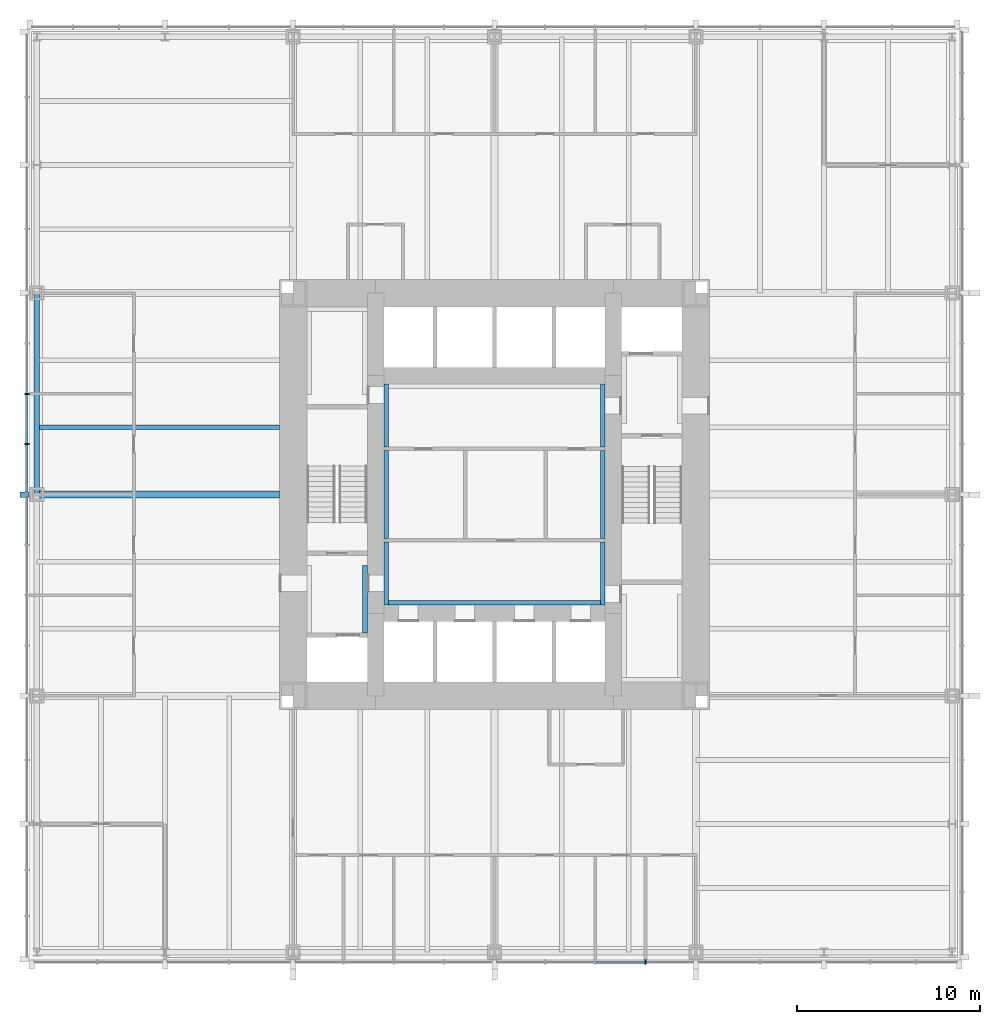
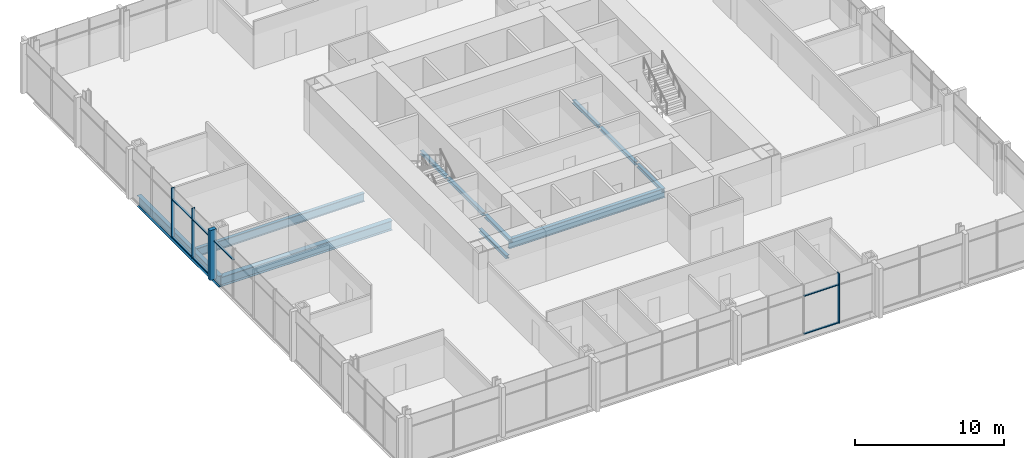
# One storey, part 3 of 12: 11 beams, 11 members, 2 elements without a shape of their own.
"""IFC4 building model written with IfcOpenShell, lengths in metres."""

from ifc_helpers import new_model, si_unit, direction, frame, origin, origin_2d, place, context, subcontext, project, spatial, rectangle, i_section, extrude, material, material_profile, profile_set, type_object, element, aggregate, save


model = new_model("IFC4")

# Units and contexts
model_context = context("Model", 3, precision=1e-05, world=origin(), true_north=direction((0.0, 1.0)))
body_context = subcontext(model_context, "Body", "Model", "MODEL_VIEW")
ifc_project = project(units=[si_unit("LENGTHUNIT", "METRE"), si_unit("AREAUNIT", "SQUARE_METRE"), si_unit("VOLUMEUNIT", "CUBIC_METRE"), si_unit("PLANEANGLEUNIT", "RADIAN"), si_unit("MASSUNIT", "GRAM", prefix="KILO")], contexts=[model_context])

# Site, building, storey
site_placement = place(None, origin())
site = spatial("IfcSite", under=ifc_project, at=site_placement, CompositionType="ELEMENT")
building_placement = place(site_placement, origin())
building = spatial("IfcBuilding", under=site, at=building_placement, Name="Trevanion Tower", CompositionType="ELEMENT")
storey_placement = place(building_placement, frame((0.0, 0.0, 73.39990234375)))
storey = spatial("IfcBuildingStorey", under=building, at=storey_placement, Name="L17", CompositionType="ELEMENT", Elevation=73.39990234375)

# Beam
ifc_material_1 = material(Name="Steel ASTM A992 Grade 50", Category="steel")
ifc_material_profile_1 = material_profile(ifc_material_1, i_section(OverallWidth=0.25390625, OverallDepth=0.700927734375, WebThickness=0.015380859375, FlangeThickness=0.02783203125, at=origin_2d()), Name="W27X129")
ifc_profile_set_1 = profile_set([ifc_material_profile_1], Name="Steel ASTM A992 Grade 50")
beam_type_1 = type_object("IfcBeamType", Name="B3 W27X129", PredefinedType="BEAM", material=ifc_profile_set_1)
beam_1_placement = place(storey_placement, frame((-11.75, 3.666748046875, -0.540283203125), z_axis=(-1.0, 0.0, 0.0), x_axis=(0.0, -1.0, 0.0)))
element("IfcBeam", 1, at=beam_1_placement, inside=storey, type_object=beam_type_1, Name="B3 L17", PredefinedType="BEAM", context=body_context, shape_type="SweptSolid", body=[
    extrude(i_section(OverallWidth=0.25390625, OverallDepth=0.700927734375, WebThickness=0.015380859375, FlangeThickness=0.02783203125, at=origin_2d()), origin(), (0.0, 0.0, 1.0), 13.25),
])

# Curtain wall, members
ifc_material_2 = material(Name="Aluminium and glass", Category="aluminium")
curtain_wall_type = type_object("IfcCurtainWallType", Name="CW1 curtain wall", PredefinedType="USERDEFINED", material=ifc_material_2)
curtain_wall_1_placement = place(storey_placement, origin())
curtain_wall_1 = element("IfcCurtainWall", 2, at=curtain_wall_1_placement, inside=storey, type_object=curtain_wall_type, Name="CW1 L17 2", ObjectType="UNITISED CURTAIN WALL", PredefinedType="USERDEFINED")
ifc_material_3 = material(Name="Aluminium extrusion, anodised bronze", Category="aluminium")
ifc_material_profile_2 = material_profile(ifc_material_3, rectangle(XDim=0.074951171875, YDim=0.25, at=origin_2d()), Name="CW1 mullion")
ifc_profile_set_2 = profile_set([ifc_material_profile_2], Name="Aluminium extrusion, anodised bronze")
member_type_1 = type_object("IfcMemberType", Name="CW1 mullion", PredefinedType="MULLION", material=ifc_profile_set_2)
member_1_placement = place(storey_placement, frame((-25.550048828125, 5.5, -0.18994140625), z_axis=(0.0, 0.0, 1.0), x_axis=(0.0, -1.0, 0.0)))
member_1 = element("IfcMember", 3, at=member_1_placement, type_object=member_type_1, Name="CW1 mullion 7", PredefinedType="MULLION", context=body_context, shape_type="SweptSolid", body=[
    extrude(rectangle(XDim=0.074951171875, YDim=0.25, at=origin_2d()), origin(), (0.0, 0.0, 1.0), 4.10009765625),
])
member_2_placement = place(storey_placement, frame((-25.550048828125, 2.75, -0.18994140625), z_axis=(0.0, 0.0, 1.0), x_axis=(0.0, -1.0, 0.0)))
member_2 = element("IfcMember", 4, at=member_2_placement, type_object=member_type_1, Name="CW1 mullion 8", PredefinedType="MULLION", context=body_context, shape_type="SweptSolid", body=[
    extrude(rectangle(XDim=0.074951171875, YDim=0.25, at=origin_2d()), origin(), (0.0, 0.0, 1.0), 4.10009765625),
])

# Curtain wall, member
curtain_wall_2_placement = place(storey_placement, origin())
curtain_wall_2 = element("IfcCurtainWall", 5, at=curtain_wall_2_placement, inside=storey, type_object=curtain_wall_type, Name="CW1 L17 3", ObjectType="UNITISED CURTAIN WALL", PredefinedType="USERDEFINED")
member_3_placement = place(storey_placement, frame((8.25, -25.550048828125, -0.18994140625), z_axis=(0.0, 0.0, 1.0), x_axis=(1.0, 0.0, 0.0)))
member_3 = element("IfcMember", 6, at=member_3_placement, type_object=member_type_1, Name="CW1 mullion 12", PredefinedType="MULLION", context=body_context, shape_type="SweptSolid", body=[
    extrude(rectangle(XDim=0.074951171875, YDim=0.25, at=origin_2d()), origin(), (0.0, 0.0, 1.0), 4.10009765625),
])

# Member
ifc_material_4 = material(Name="Aluminium extrusion, anodised bronze", Category="aluminium")
ifc_material_profile_3 = material_profile(ifc_material_4, rectangle(XDim=0.300048828125, YDim=0.5, at=origin_2d()), Name="CW1 pier mullion")
ifc_profile_set_3 = profile_set([ifc_material_profile_3], Name="Aluminium extrusion, anodised bronze")
member_type_2 = type_object("IfcMemberType", Name="CW1 pier mullion", PredefinedType="MULLION", material=ifc_profile_set_3)
member_4_placement = place(storey_placement, frame((-25.675048828125, 0.0, -0.18994140625), z_axis=(0.0, 0.0, 1.0), x_axis=(0.0, -1.0, 0.0)))
member_4 = element("IfcMember", 7, at=member_4_placement, type_object=member_type_2, Name="CW1 pier mullion 9", PredefinedType="MULLION", context=body_context, shape_type="SweptSolid", body=[
    extrude(rectangle(XDim=0.300048828125, YDim=0.5, at=origin_2d()), origin(), (0.0, 0.0, 1.0), 4.10009765625),
])

ifc_material_5 = material(Name="Aluminium extrusion, anodised bronze", Category="aluminium")
ifc_material_profile_4 = material_profile(ifc_material_5, rectangle(XDim=0.14990234375, YDim=0.074951171875, at=origin_2d()), Name="CW1 transom")
ifc_profile_set_4 = profile_set([ifc_material_profile_4], Name="Aluminium extrusion, anodised bronze")
member_type_3 = type_object("IfcMemberType", Name="CW1 transom", PredefinedType="USERDEFINED", material=ifc_profile_set_4)
member_5_placement = place(storey_placement, frame((-25.550048828125, 5.46240234375, -0.15234375), z_axis=(0.0, -1.0, 0.0), x_axis=(1.0, 0.0, 0.0)))
member_5 = element("IfcMember", 8, at=member_5_placement, type_object=member_type_3, Name="CW1 transom 7.1", ObjectType="TRANSOM", PredefinedType="USERDEFINED", context=body_context, shape_type="SweptSolid", body=[
    extrude(rectangle(XDim=0.14990234375, YDim=0.074951171875, at=origin_2d()), origin(), (0.0, 0.0, 1.0), 2.6748046875),
])

member_6_placement = place(storey_placement, frame((-25.550048828125, 5.46240234375, 2.960205078125), z_axis=(0.0, -1.0, 0.0), x_axis=(1.0, 0.0, 0.0)))
member_6 = element("IfcMember", 9, at=member_6_placement, type_object=member_type_3, Name="CW1 transom 7.2", ObjectType="TRANSOM", PredefinedType="USERDEFINED", context=body_context, shape_type="SweptSolid", body=[
    extrude(rectangle(XDim=0.14990234375, YDim=0.074951171875, at=origin_2d()), origin(), (0.0, 0.0, 1.0), 2.6748046875),
])

member_7_placement = place(storey_placement, frame((-25.550048828125, 2.71240234375, -0.15234375), z_axis=(0.0, -1.0, 0.0), x_axis=(1.0, 0.0, 0.0)))
member_7 = element("IfcMember", 10, at=member_7_placement, type_object=member_type_3, Name="CW1 transom 8.1", ObjectType="TRANSOM", PredefinedType="USERDEFINED", context=body_context, shape_type="SweptSolid", body=[
    extrude(rectangle(XDim=0.14990234375, YDim=0.074951171875, at=origin_2d()), origin(), (0.0, 0.0, 1.0), 2.5625),
])

member_8_placement = place(storey_placement, frame((-25.550048828125, 2.71240234375, 2.960205078125), z_axis=(0.0, -1.0, 0.0), x_axis=(1.0, 0.0, 0.0)))
member_8 = element("IfcMember", 11, at=member_8_placement, type_object=member_type_3, Name="CW1 transom 8.2", ObjectType="TRANSOM", PredefinedType="USERDEFINED", context=body_context, shape_type="SweptSolid", body=[
    extrude(rectangle(XDim=0.14990234375, YDim=0.074951171875, at=origin_2d()), origin(), (0.0, 0.0, 1.0), 2.5625),
])

member_9_placement = place(storey_placement, frame((-25.550048828125, -0.14990234375, 2.960205078125), z_axis=(0.0, -1.0, 0.0), x_axis=(1.0, 0.0, 0.0)))
member_9 = element("IfcMember", 12, at=member_9_placement, type_object=member_type_3, Name="CW1 transom 9.2", ObjectType="TRANSOM", PredefinedType="USERDEFINED", context=body_context, shape_type="SweptSolid", body=[
    extrude(rectangle(XDim=0.14990234375, YDim=0.074951171875, at=origin_2d()), origin(), (0.0, 0.0, 1.0), 2.5625),
])

aggregate(curtain_wall_1, [member_1, member_2, member_4, member_5, member_6, member_7, member_8, member_9])

member_10_placement = place(storey_placement, frame((5.53759765625, -25.550048828125, -0.15234375), z_axis=(1.0, 0.0, 0.0), x_axis=(0.0, 1.0, 0.0)))
member_10 = element("IfcMember", 13, at=member_10_placement, type_object=member_type_3, Name="CW1 transom 11.1", ObjectType="TRANSOM", PredefinedType="USERDEFINED", context=body_context, shape_type="SweptSolid", body=[
    extrude(rectangle(XDim=0.14990234375, YDim=0.074951171875, at=origin_2d()), origin(), (0.0, 0.0, 1.0), 2.6748046875),
])

member_11_placement = place(storey_placement, frame((5.53759765625, -25.550048828125, 2.960205078125), z_axis=(1.0, 0.0, 0.0), x_axis=(0.0, 1.0, 0.0)))
member_11 = element("IfcMember", 14, at=member_11_placement, type_object=member_type_3, Name="CW1 transom 11.2", ObjectType="TRANSOM", PredefinedType="USERDEFINED", context=body_context, shape_type="SweptSolid", body=[
    extrude(rectangle(XDim=0.14990234375, YDim=0.074951171875, at=origin_2d()), origin(), (0.0, 0.0, 1.0), 2.6748046875),
])

aggregate(curtain_wall_2, [member_3, member_10, member_11])

# Beams
ifc_material_6 = material(Name="Steel ASTM A992 Grade 50", Category="steel")
ifc_material_profile_5 = material_profile(ifc_material_6, i_section(OverallWidth=0.381103515625, OverallDepth=0.77978515625, WebThickness=0.01806640625, FlangeThickness=0.0302734375, at=origin_2d()), Name="W30X191")
ifc_profile_set_5 = profile_set([ifc_material_profile_5], Name="Steel ASTM A992 Grade 50")
beam_type_2 = type_object("IfcBeamType", Name="G2 W30X191", PredefinedType="BEAM", material=ifc_profile_set_5)
beam_2_placement = place(storey_placement, frame((-11.75, 0.0, -0.579833984375), z_axis=(-1.0, 0.0, 0.0), x_axis=(0.0, -1.0, 0.0)))
element("IfcBeam", 15, at=beam_2_placement, inside=storey, type_object=beam_type_2, Name="G2 L17", PredefinedType="BEAM", context=body_context, shape_type="SweptSolid", body=[
    extrude(i_section(OverallWidth=0.381103515625, OverallDepth=0.77978515625, WebThickness=0.01806640625, FlangeThickness=0.0302734375, at=origin_2d()), origin(), (0.0, 0.0, 1.0), 13.25),
])
ifc_material_7 = material(Name="Steel ASTM A992 Grade 50", Category="steel")
ifc_material_profile_6 = material_profile(ifc_material_7, i_section(OverallWidth=0.256591796875, OverallDepth=0.26416015625, WebThickness=0.011962890625, FlangeThickness=0.01953125, at=origin_2d()), Name="W10X68")
ifc_profile_set_6 = profile_set([ifc_material_profile_6], Name="Steel ASTM A992 Grade 50")
beam_type_3 = type_object("IfcBeamType", Name="LB1 W10X68", PredefinedType="BEAM", material=ifc_profile_set_6)
for number, where, z_axis, x_axis, name in (
    (16, (-5.921630859375, 2.60009765625, -0.33203125), (0.0, 1.0, 0.0), (-1.0, 0.0, 0.0), "LB1 L17"),
    (17, (5.921630859375, 2.60009765625, -0.33203125), (0.0, 1.0, 0.0), (-1.0, 0.0, 0.0), "LB1 L17"),
    (18, (-5.921630859375, -6.050048828125, -0.33203125), (0.0, 1.0, 0.0), (-1.0, 0.0, 0.0), "LB1 L17"),
    (19, (5.921630859375, -6.050048828125, -0.33203125), (0.0, 1.0, 0.0), (-1.0, 0.0, 0.0), "LB1 L17"),
):
    element("IfcBeam", number, at=place(storey_placement, frame(where, z_axis=z_axis, x_axis=x_axis)), inside=storey, type_object=beam_type_3, Name=name, PredefinedType="BEAM", context=body_context, shape_type="SweptSolid", body=[
        extrude(i_section(OverallWidth=0.256591796875, OverallDepth=0.26416015625, WebThickness=0.011962890625, FlangeThickness=0.01953125, at=origin_2d()), origin(), (0.0, 0.0, 1.0), 3.449951171875),
    ])
beam_3_placement = place(storey_placement, frame((-7.078369140625, -7.574951171875, -0.33203125), z_axis=(0.0, 1.0, 0.0), x_axis=(-1.0, 0.0, 0.0)))
element("IfcBeam", 20, at=beam_3_placement, inside=storey, type_object=beam_type_3, Name="LB1 L17", PredefinedType="BEAM", context=body_context, shape_type="SweptSolid", body=[
    extrude(i_section(OverallWidth=0.256591796875, OverallDepth=0.26416015625, WebThickness=0.011962890625, FlangeThickness=0.01953125, at=origin_2d()), origin(), (0.0, 0.0, 1.0), 3.699951171875),
])
for number, where, z_axis, x_axis, name in (
    (21, (-5.921630859375, -2.39990234375, -0.33203125), (0.0, 1.0, 0.0), (-1.0, 0.0, 0.0), "LB1 L17"),
    (22, (5.921630859375, -2.39990234375, -0.33203125), (0.0, 1.0, 0.0), (-1.0, 0.0, 0.0), "LB1 L17"),
):
    element("IfcBeam", number, at=place(storey_placement, frame(where, z_axis=z_axis, x_axis=x_axis)), inside=storey, type_object=beam_type_3, Name=name, PredefinedType="BEAM", context=body_context, shape_type="SweptSolid", body=[
        extrude(i_section(OverallWidth=0.256591796875, OverallDepth=0.26416015625, WebThickness=0.011962890625, FlangeThickness=0.01953125, at=origin_2d()), origin(), (0.0, 0.0, 1.0), 4.7998046875),
    ])
ifc_material_8 = material(Name="Steel ASTM A992 Grade 50", Category="steel")
ifc_material_profile_7 = material_profile(ifc_material_8, i_section(OverallWidth=0.2666015625, OverallDepth=0.76953125, WebThickness=0.015625, FlangeThickness=0.025390625, at=origin_2d()), Name="W30X132")
ifc_profile_set_7 = profile_set([ifc_material_profile_7], Name="Steel ASTM A992 Grade 50")
beam_type_4 = type_object("IfcBeamType", Name="LB3 W30X132", PredefinedType="BEAM", material=ifc_profile_set_7)
beam_4_placement = place(storey_placement, frame((-6.050048828125, -5.91650390625, -0.584716796875), z_axis=(1.0, 0.0, 0.0), x_axis=(0.0, 1.0, 0.0)))
element("IfcBeam", 23, at=beam_4_placement, inside=storey, type_object=beam_type_4, Name="LB3 L17", PredefinedType="BEAM", context=body_context, shape_type="SweptSolid", body=[
    extrude(i_section(OverallWidth=0.2666015625, OverallDepth=0.76953125, WebThickness=0.015625, FlangeThickness=0.025390625, at=origin_2d()), origin(), (0.0, 0.0, 1.0), 12.10009765625),
])
ifc_material_9 = material(Name="Steel ASTM A992 Grade 50", Category="steel")
ifc_material_profile_8 = material_profile(ifc_material_9, i_section(OverallWidth=0.307373046875, OverallDepth=0.927001953125, WebThickness=0.01953125, FlangeThickness=0.031982421875, at=origin_2d()), Name="W36X194")
ifc_profile_set_8 = profile_set([ifc_material_profile_8], Name="Steel ASTM A992 Grade 50")
beam_type_5 = type_object("IfcBeamType", Name="SB2 W36X194", PredefinedType="SPANDREL", material=ifc_profile_set_8)
beam_5_placement = place(storey_placement, frame((-25.0, 11.0, -0.6533203125), z_axis=(0.0, -1.0, 0.0), x_axis=(1.0, 0.0, 0.0)))
element("IfcBeam", 24, at=beam_5_placement, inside=storey, type_object=beam_type_5, Name="SB2 L17", PredefinedType="SPANDREL", context=body_context, shape_type="SweptSolid", body=[
    extrude(i_section(OverallWidth=0.307373046875, OverallDepth=0.927001953125, WebThickness=0.01953125, FlangeThickness=0.031982421875, at=origin_2d()), origin(), (0.0, 0.0, 1.0), 11.0),
])

save(model, "model.ifc")
